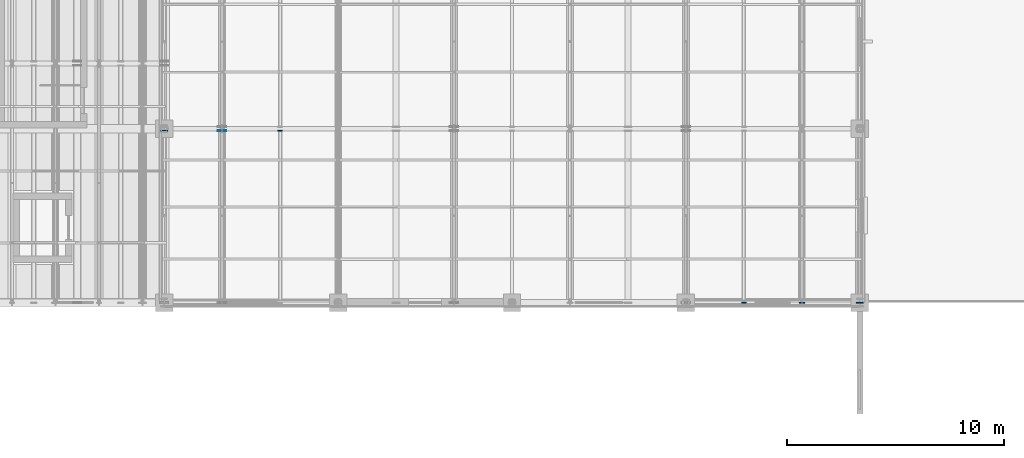
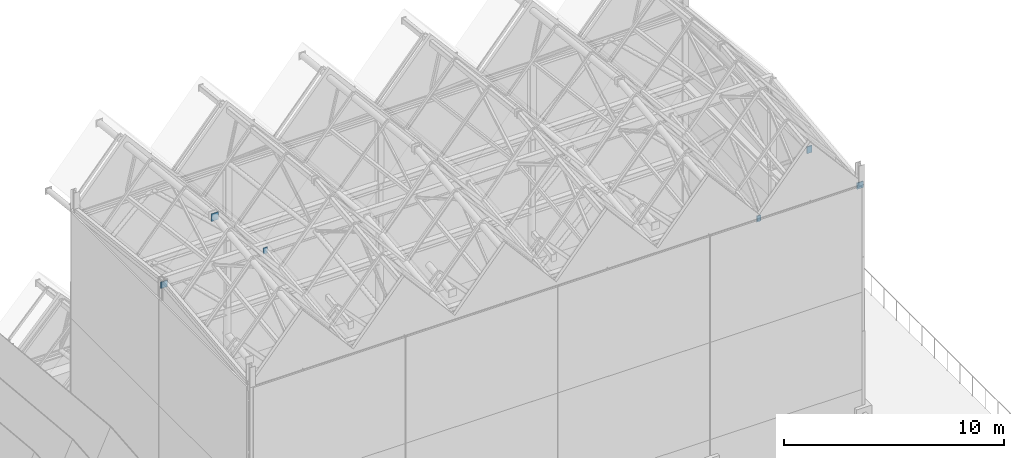
# One storey, part 38 of 48: 6 discrete accessories.
"""IFC4 building model written with IfcOpenShell, lengths in metres."""

from ifc_helpers import new_model, si_unit, direction, frame, origin, origin_2d, place, context, subcontext, project, spatial, rectangle, extrude, material, type_object, element, save


model = new_model("IFC4")

# Units and contexts
model_context = context("Model", 3, precision=1e-05, world=origin(), true_north=direction((0.0, 1.0)))
body_context = subcontext(model_context, "Body", "Model", "MODEL_VIEW")
ifc_project = project(units=[si_unit("LENGTHUNIT", "METRE"), si_unit("AREAUNIT", "SQUARE_METRE"), si_unit("VOLUMEUNIT", "CUBIC_METRE"), si_unit("PLANEANGLEUNIT", "RADIAN"), si_unit("MASSUNIT", "GRAM", prefix="KILO")], contexts=[model_context])

# Site, building, storey
site_placement = place(None, origin())
site = spatial("IfcSite", under=ifc_project, at=site_placement, CompositionType="ELEMENT")
building_placement = place(site_placement, origin())
building = spatial("IfcBuilding", under=site, at=building_placement, Name="Luwemba Playhouse", CompositionType="ELEMENT")
storey_placement = place(building_placement, frame((0.0, 0.0, 13.800048828125)))
storey = spatial("IfcBuildingStorey", under=building, at=storey_placement, Name="L03", CompositionType="ELEMENT", Elevation=13.800048828125)

# Discrete accessories
ifc_material = material(Name="Steel S355", Category="steel")
discrete_accessory_type = type_object("IfcDiscreteAccessoryType", Name="ACC-ENDCAP-S355", PredefinedType="BRACKET", material=ifc_material)
discrete_accessory_1_placement = place(storey_placement, frame((12.0, 75.90478515625, 17.336669921875), z_axis=(0.0, 0.0, 1.0), x_axis=(1.0, 0.0, 0.0)))
element("IfcDiscreteAccessory", 1, at=discrete_accessory_1_placement, inside=storey, type_object=discrete_accessory_type, Name="Welded RHS end cap plate 0062", PredefinedType="BRACKET", context=body_context, shape_type="SweptSolid", body=[
    extrude(rectangle(XDim=0.3330078125, YDim=0.044921875, at=origin_2d()), origin(), (0.0, 0.0, 1.0), 0.35302734375),
])
discrete_accessory_2_placement = place(storey_placement, frame((14.666748046875, 75.90478515625, 20.1435546875), z_axis=(0.0, 0.0, 1.0), x_axis=(1.0, 0.0, 0.0)))
element("IfcDiscreteAccessory", 2, at=discrete_accessory_2_placement, inside=storey, type_object=discrete_accessory_type, Name="Welded RHS end cap plate 0066", PredefinedType="BRACKET", context=body_context, shape_type="SweptSolid", body=[
    extrude(rectangle(XDim=0.384033203125, YDim=0.044921875, at=origin_2d()), origin(), (0.0, 0.0, 1.0), 0.404052734375),
])
for number, where, z_axis, x_axis, name in (
    (3, (17.333251953125, 75.90478515625, 17.359619140625), (0.0, 0.0, 1.0), (1.0, 0.0, 0.0), "Welded RHS end cap plate 0070"),
    (4, (38.666748046875, 67.985107421875, 16.47119140625), (0.0, 0.0, 1.0), (1.0, 0.0, 0.0), "Welded RHS end cap plate 0101"),
):
    element("IfcDiscreteAccessory", number, at=place(storey_placement, frame(where, z_axis=z_axis, x_axis=x_axis)), inside=storey, type_object=discrete_accessory_type, Name=name, PredefinedType="BRACKET", context=body_context, shape_type="SweptSolid", body=[
        extrude(rectangle(XDim=0.2099609375, YDim=0.044921875, at=origin_2d()), origin(), (0.0, 0.0, 1.0), 0.330078125),
    ])
discrete_accessory_3_placement = place(storey_placement, frame((41.333251953125, 67.985107421875, 19.351318359375), z_axis=(0.0, 0.0, 1.0), x_axis=(1.0, 0.0, 0.0)))
element("IfcDiscreteAccessory", 5, at=discrete_accessory_3_placement, inside=storey, type_object=discrete_accessory_type, Name="Welded RHS end cap plate 0105", PredefinedType="BRACKET", context=body_context, shape_type="SweptSolid", body=[
    extrude(rectangle(XDim=0.260009765625, YDim=0.044921875, at=origin_2d()), origin(), (0.0, 0.0, 1.0), 0.3798828125),
])
discrete_accessory_4_placement = place(storey_placement, frame((44.0, 67.985107421875, 16.4482421875), z_axis=(0.0, 0.0, 1.0), x_axis=(1.0, 0.0, 0.0)))
element("IfcDiscreteAccessory", 6, at=discrete_accessory_4_placement, inside=storey, type_object=discrete_accessory_type, Name="Welded RHS end cap plate 0109", PredefinedType="BRACKET", context=body_context, shape_type="SweptSolid", body=[
    extrude(rectangle(XDim=0.3330078125, YDim=0.044921875, at=origin_2d()), origin(), (0.0, 0.0, 1.0), 0.35302734375),
])

save(model, "model.ifc")
